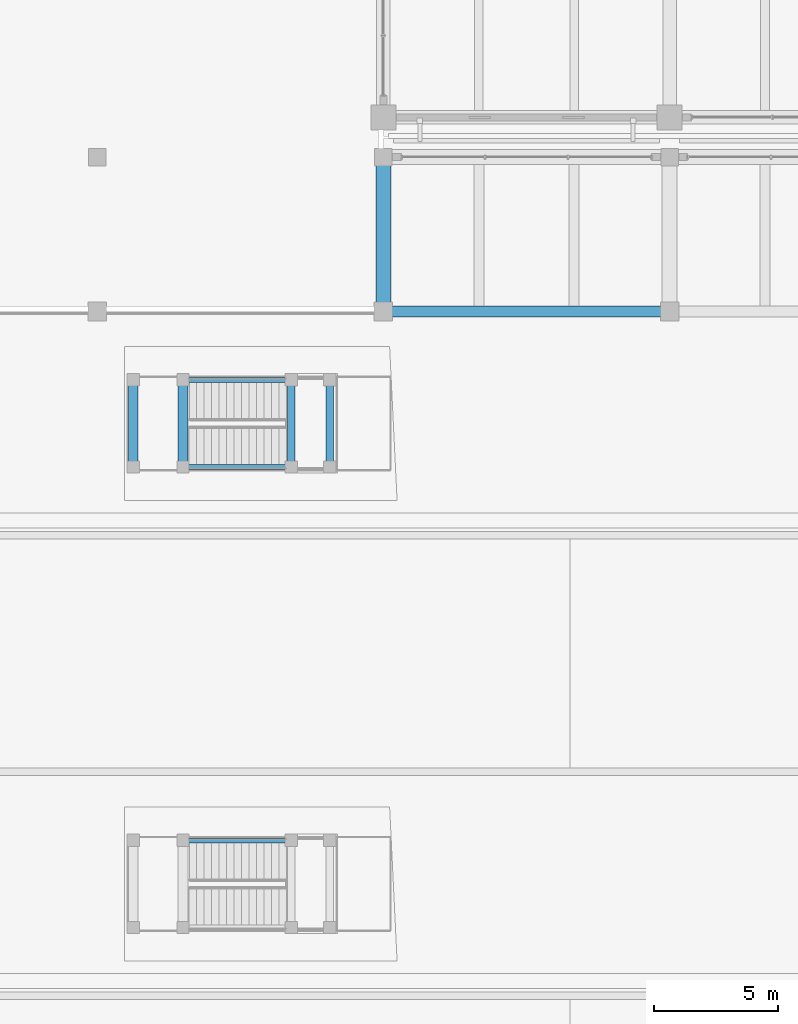
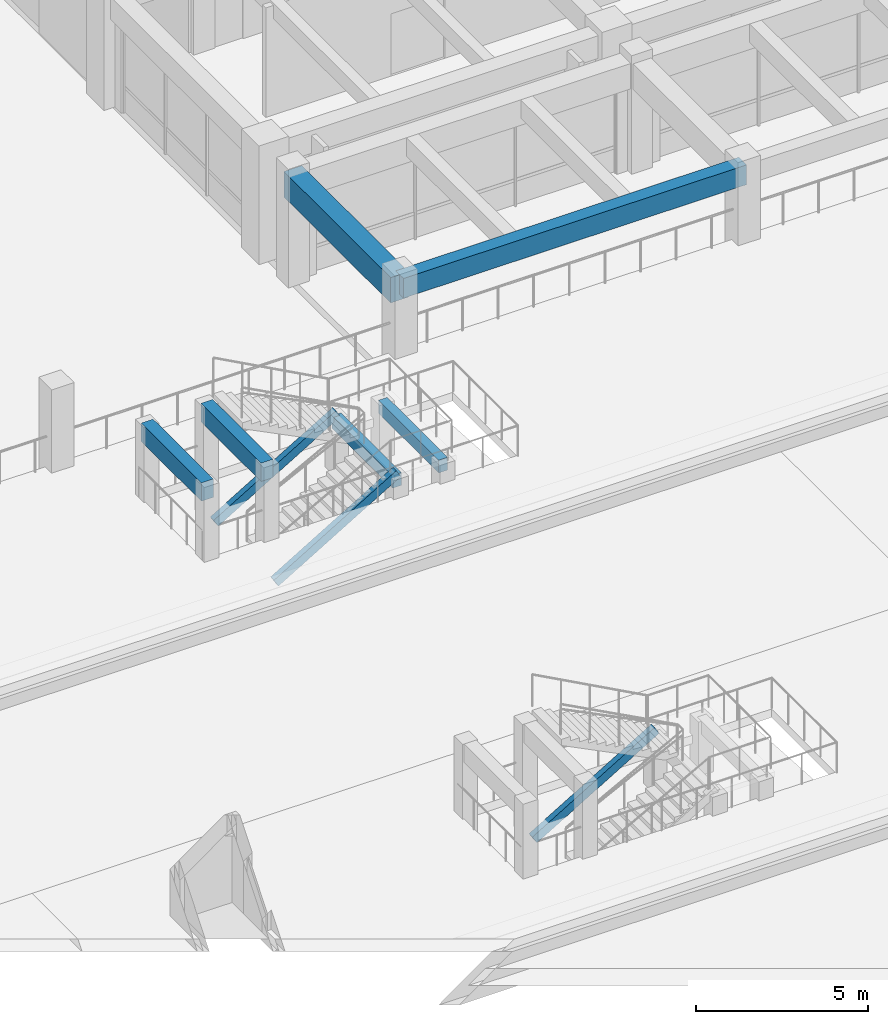
# One storey, part 39 of 109: 6 beams, 3 members.
"""IFC4 building model written with IfcOpenShell, lengths in metres."""

from ifc_helpers import new_model, si_unit, direction, frame, origin, origin_2d, place, context, subcontext, project, spatial, rectangle, hollow_rectangle, extrude, material, material_profile, profile_set, type_object, element, save


model = new_model("IFC4")

# Units and contexts
model_context = context("Model", 3, precision=1e-05, world=origin(), true_north=direction((0.0, 1.0)))
body_context = subcontext(model_context, "Body", "Model", "MODEL_VIEW")
ifc_project = project(units=[si_unit("LENGTHUNIT", "METRE"), si_unit("AREAUNIT", "SQUARE_METRE"), si_unit("VOLUMEUNIT", "CUBIC_METRE"), si_unit("PLANEANGLEUNIT", "RADIAN"), si_unit("MASSUNIT", "GRAM", prefix="KILO")], contexts=[model_context])

# Site, building, storey
site_placement = place(None, origin())
site = spatial("IfcSite", under=ifc_project, at=site_placement, CompositionType="ELEMENT")
building_placement = place(site_placement, origin())
building = spatial("IfcBuilding", under=site, at=building_placement, Name="Ologun Quay Terminus", CompositionType="ELEMENT")
storey_placement = place(building_placement, origin())
storey = spatial("IfcBuildingStorey", under=building, at=storey_placement, Name="L00", CompositionType="ELEMENT", Elevation=0.0)

# Beams
ifc_material_1 = material(Name="Concrete C40/50", Category="concrete")
ifc_material_profile_1 = material_profile(ifc_material_1, rectangle(XDim=0.300048828125, YDim=0.449951171875, at=origin_2d()), Name="RC 300x450")
ifc_profile_set_1 = profile_set([ifc_material_profile_1], Name="Concrete C40/50")
beam_type_1 = type_object("IfcBeamType", Name="Core Coupling Lintel Beam 300x450", PredefinedType="LINTEL", material=ifc_profile_set_1)
for number, where, z_axis, x_axis, name in (
    (1, (111.300048828125, 71.75, 1.695068359375), (0.0, 1.0, 0.0), (-1.0, 0.0, 0.0), "LN1 Beam 10/F L00"),
    (2, (112.85009765625, 71.75, 1.695068359375), (0.0, 1.0, 0.0), (-1.0, 0.0, 0.0), "LN1 Beam 10/F L00"),
):
    element("IfcBeam", number, at=place(storey_placement, frame(where, z_axis=z_axis, x_axis=x_axis)), inside=storey, type_object=beam_type_1, Name=name, PredefinedType="LINTEL", context=body_context, shape_type="SweptSolid", body=[
        extrude(rectangle(XDim=0.300048828125, YDim=0.449951171875, at=origin_2d()), origin(), (0.0, 0.0, 1.0), 3.5),
    ])
ifc_material_2 = material(Name="Concrete C40/50", Category="concrete")
ifc_material_profile_2 = material_profile(ifc_material_2, rectangle(XDim=0.449951171875, YDim=0.699951171875, at=origin_2d()), Name="RC 450x700")
ifc_profile_set_2 = profile_set([ifc_material_profile_2], Name="Concrete C40/50")
beam_type_2 = type_object("IfcBeamType", Name="Perimeter Spandrel Beam 450x700", PredefinedType="SPANDREL", material=ifc_profile_set_2)
beam_1_placement = place(storey_placement, frame((115.0, 78.0, 3.550048828125), z_axis=(1.0, 0.0, 0.0), x_axis=(0.0, 1.0, 0.0)))
element("IfcBeam", 3, at=beam_1_placement, inside=storey, type_object=beam_type_2, Name="SP1 Beam 11/F L00", PredefinedType="SPANDREL", context=body_context, shape_type="SweptSolid", body=[
    extrude(rectangle(XDim=0.449951171875, YDim=0.699951171875, at=origin_2d()), origin(), (0.0, 0.0, 1.0), 11.5),
])

# Members
ifc_material_3 = material(Name="Steel S355", Category="steel")
ifc_material_profile_3 = material_profile(ifc_material_3, hollow_rectangle(XDim=0.199951171875, YDim=0.300048828125, WallThickness=0.010009765625, at=origin_2d()), Name="RHS 300x200x10")
ifc_profile_set_3 = profile_set([ifc_material_profile_3], Name="Steel S355")
member_type = type_object("IfcMemberType", Name="Platform Feature Stair Steel Stringer RHS300", PredefinedType="STRINGER", material=ifc_profile_set_3)
for number, where, z_axis, x_axis, name in (
    (4, (107.199951171875, 56.75, -0.449951171875), (0.858425114186, 0.0, 0.512938907994), (0.0, 1.0, 0.0), "SG1 Steel Stringer ST-P2-N"),
    (5, (107.199951171875, 71.75, -0.449951171875), (0.858425114186, 0.0, 0.512938907994), (0.0, 1.0, 0.0), "SG1 Steel Stringer ST-P4-S"),
    (6, (107.199951171875, 75.25, -0.449951171875), (0.858425114186, 0.0, 0.512938907994), (0.0, 1.0, 0.0), "SG1 Steel Stringer ST-P4-N"),
):
    element("IfcMember", number, at=place(storey_placement, frame(where, z_axis=z_axis, x_axis=x_axis)), inside=storey, type_object=member_type, Name=name, PredefinedType="STRINGER", context=body_context, shape_type="SweptSolid", body=[
        extrude(hollow_rectangle(XDim=0.199951171875, YDim=0.300048828125, WallThickness=0.010009765625, at=origin_2d()), origin(), (0.0, 0.0, 1.0), 4.7763671875),
    ])

# Beams
ifc_material_4 = material(Name="Concrete C40/50", Category="concrete")
ifc_material_profile_4 = material_profile(ifc_material_4, rectangle(XDim=0.60009765625, YDim=0.89990234375, at=origin_2d()), Name="RC 600x900")
ifc_profile_set_4 = profile_set([ifc_material_profile_4], Name="Concrete C40/50")
beam_type_3 = type_object("IfcBeamType", Name="Station Frame Girder 600x900", PredefinedType="BEAM", material=ifc_profile_set_4)
beam_2_placement = place(storey_placement, frame((115.0, 78.0, 3.449951171875), z_axis=(0.0, 1.0, 0.0), x_axis=(-1.0, 0.0, 0.0)))
element("IfcBeam", 7, at=beam_2_placement, inside=storey, type_object=beam_type_3, Name="B3 Beam 11/F L00", PredefinedType="BEAM", context=body_context, shape_type="SweptSolid", body=[
    extrude(rectangle(XDim=0.60009765625, YDim=0.89990234375, at=origin_2d()), origin(), (0.0, 0.0, 1.0), 6.199951171875),
])
ifc_material_5 = material(Name="Concrete C40/50", Category="concrete")
ifc_material_profile_5 = material_profile(ifc_material_5, rectangle(XDim=0.39990234375, YDim=0.64990234375, at=origin_2d()), Name="RC 400x650")
ifc_profile_set_5 = profile_set([ifc_material_profile_5], Name="Concrete C40/50")
beam_type_4 = type_object("IfcBeamType", Name="Station Secondary Joist 400x650", PredefinedType="JOIST", material=ifc_profile_set_5)
for number, where, z_axis, x_axis, name in (
    (8, (104.949951171875, 71.75, 3.574951171875), (0.0, 1.0, 0.0), (-1.0, 0.0, 0.0), "J1 Beam 10/F L00"),
    (9, (106.949951171875, 71.75, 3.574951171875), (0.0, 1.0, 0.0), (-1.0, 0.0, 0.0), "J1 Beam 10/F L00"),
):
    element("IfcBeam", number, at=place(storey_placement, frame(where, z_axis=z_axis, x_axis=x_axis)), inside=storey, type_object=beam_type_4, Name=name, PredefinedType="JOIST", context=body_context, shape_type="SweptSolid", body=[
        extrude(rectangle(XDim=0.39990234375, YDim=0.64990234375, at=origin_2d()), origin(), (0.0, 0.0, 1.0), 3.5),
    ])

save(model, "model.ifc")
